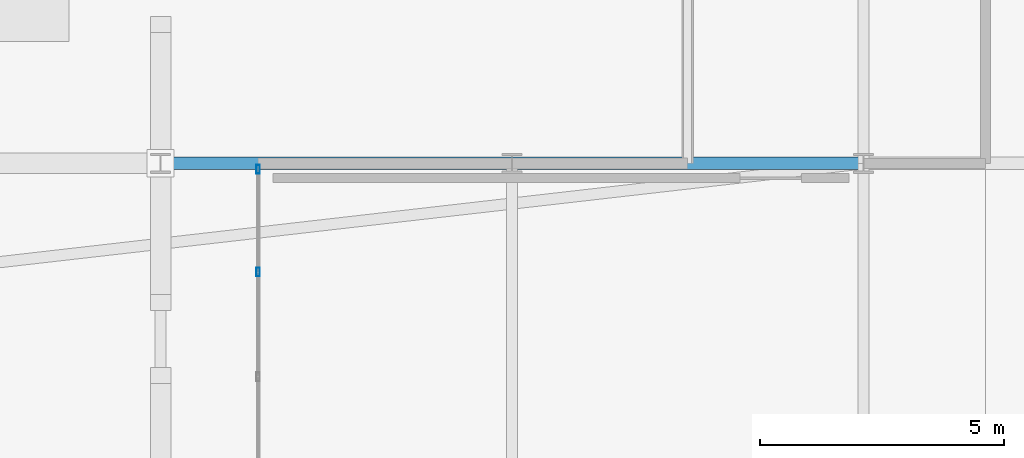
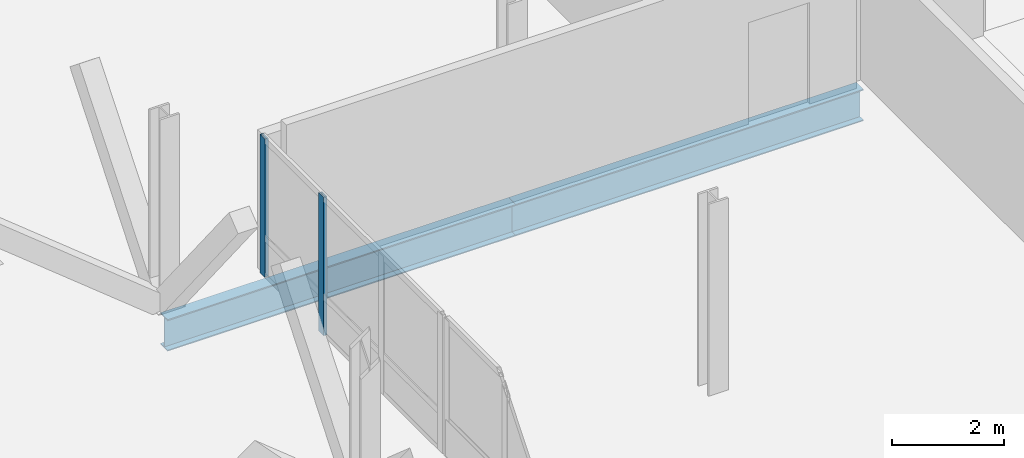
# One storey, part 17 of 102: 2 beams, 2 members, 1 element without a shape of its own.
"""IFC4 building model written with IfcOpenShell, lengths in metres."""

import ifcopenshell
import ifcopenshell.guid

model = None  # the IFC model being written
_history = None  # IfcOwnerHistory: only IFC2X3 demands one
_inside = {}  # id of a spatial element -> (the spatial element, [elements in it])
_under = {}  # id of a project, library or spatial element -> (it, [spatial elements below it])
_declared = {}  # id of a project -> (the project, [libraries it declares])
_typed = {}  # id of a type object -> (the type object, [elements of that type])
_made_of = {}  # id of a material, layer set ... -> (it, [elements and type objects made of it])


def new_model(schema):
    """Start an empty IFC model of exactly this schema.

    Asked for "IFC4X3", IfcOpenShell would pick the latest addendum, in which some entities
    have other attributes; the version numbers below select the first issue.
    IFC2X3 requires an IfcOwnerHistory on every rooted entity: one is made here for all.
    """
    global model, _history
    if schema == "IFC4X3":
        model = ifcopenshell.file(schema_version=(4, 3, 0, 0))
    else:
        model = ifcopenshell.file(schema=schema)
    _inside.clear()
    _under.clear()
    _declared.clear()
    _typed.clear()
    _made_of.clear()
    _history = None
    if model.schema == "IFC2X3":
        org = make("IfcOrganization", Name="unknown")
        user = make(
            "IfcPersonAndOrganization",
            ThePerson=make("IfcPerson", FamilyName="unknown"),
            TheOrganization=org,
        )
        app = make(
            "IfcApplication",
            ApplicationDeveloper=org,
            Version="unknown",
            ApplicationFullName="unknown",
            ApplicationIdentifier="unknown",
        )
        _history = make(
            "IfcOwnerHistory",
            OwningUser=user,
            OwningApplication=app,
            ChangeAction="ADDED",
            CreationDate=0,
        )
    return model


def make(cls, **values):
    """One entity of the class cls with the attributes given. An attribute that is None is left unset."""
    return model.create_entity(
        cls, **{name: value for name, value in values.items() if value is not None}
    )


def rooted(cls, **values):
    """An entity with a GlobalId (a new one), such as an element, a storey or a relation."""
    return make(cls, GlobalId=ifcopenshell.guid.new(), OwnerHistory=_history, **values)


def si_unit(unit_type, name, prefix=None):
    """IfcSIUnit, for example si_unit("LENGTHUNIT", "METRE", prefix="MILLI")."""
    return make("IfcSIUnit", UnitType=unit_type, Prefix=prefix, Name=name)


def assignment(units):
    """IfcUnitAssignment: the units of a project."""
    return None if units is None else make("IfcUnitAssignment", Units=units)


def point(xyz):
    """IfcCartesianPoint."""
    return None if xyz is None else make("IfcCartesianPoint", Coordinates=xyz)


def direction(xyz):
    """IfcDirection."""
    return None if xyz is None else make("IfcDirection", DirectionRatios=xyz)


def frame(location, z_axis=None, x_axis=None):
    """IfcAxis2Placement3D, a coordinate frame: its origin and axes. An axis left out is left unset."""
    return make(
        "IfcAxis2Placement3D",
        Location=point(location),
        Axis=direction(z_axis),
        RefDirection=direction(x_axis),
    )


def frame_2d(location, x_axis=None):
    """IfcAxis2Placement2D, a coordinate frame in the plane: its origin and x axis."""
    return make(
        "IfcAxis2Placement2D", Location=point(location), RefDirection=direction(x_axis)
    )


def origin():
    """The frame at (0, 0, 0) with its axes left unset."""
    return frame((0.0, 0.0, 0.0))


def origin_2d():
    """The frame at (0, 0) in the plane with its x axis left unset."""
    return frame_2d((0.0, 0.0))


def place(relative_to, where):
    """IfcLocalPlacement: puts the frame where relative to a parent placement (None: the world)."""
    return make(
        "IfcLocalPlacement", PlacementRelTo=relative_to, RelativePlacement=where
    )


def context(
    kind, dimensions, precision=None, world=None, true_north=None, identifier=None
):
    """IfcGeometricRepresentationContext, for example the 3D "Model" context."""
    return make(
        "IfcGeometricRepresentationContext",
        ContextIdentifier=identifier,
        ContextType=kind,
        CoordinateSpaceDimension=dimensions,
        Precision=precision,
        WorldCoordinateSystem=world,
        TrueNorth=true_north,
    )


def subcontext(parent, identifier, kind, view, scale=None):
    """IfcGeometricRepresentationSubContext, for example "Body" below "Model"."""
    return make(
        "IfcGeometricRepresentationSubContext",
        ContextIdentifier=identifier,
        ContextType=kind,
        ParentContext=parent,
        TargetScale=scale,
        TargetView=view,
    )


def project(units=None, contexts=None):
    """IfcProject with its units and contexts."""
    return rooted(
        "IfcProject",
        Name="project",
        RepresentationContexts=contexts,
        UnitsInContext=assignment(units),
    )


def spatial(cls, under=None, at=None, **own):
    """A site, building, storey or space (cls), placed at a placement, below another one or the project."""
    s = rooted(cls, ObjectPlacement=at, **own)
    if under is not None:
        _under.setdefault(under.id(), (under, []))[1].append(s)
    return s


def profile(cls, at=None, kind="AREA", **sizes):
    """A parametric profile (cls). Its sizes go by their IFC names, for example OverallWidth=200.0."""
    return make(cls, ProfileType=kind, Position=at, **sizes)


def hollow_rectangle(**sizes):
    """IfcRectangleHollowProfileDef."""
    return profile("IfcRectangleHollowProfileDef", **sizes)


def i_section(**sizes):
    """IfcIShapeProfileDef."""
    return profile("IfcIShapeProfileDef", **sizes)


def extrude(swept, where, along, depth):
    """IfcExtrudedAreaSolid: the profile swept, set in the frame where, extruded along a direction by depth."""
    return make(
        "IfcExtrudedAreaSolid",
        SweptArea=swept,
        Position=where,
        ExtrudedDirection=direction(along),
        Depth=depth,
    )


def shape(context_of_items, identifier, shape_type, items):
    """IfcShapeRepresentation: the items that make up one representation, for example the "Body"."""
    return make(
        "IfcShapeRepresentation",
        ContextOfItems=context_of_items,
        RepresentationIdentifier=identifier,
        RepresentationType=shape_type,
        Items=items,
    )


def material(Name=None, Category=None):
    """IfcMaterial."""
    return make("IfcMaterial", Name=Name, Category=Category)


def material_profile(
    of_material, cross_section, Name=None, Category=None, Priority=None
):
    """IfcMaterialProfile: a cross section and its material."""
    return make(
        "IfcMaterialProfile",
        Name=Name,
        Material=of_material,
        Profile=cross_section,
        Priority=Priority,
        Category=Category,
    )


def profile_set(profiles, Name=None, composite=None):
    """IfcMaterialProfileSet."""
    return make(
        "IfcMaterialProfileSet",
        Name=Name,
        MaterialProfiles=profiles,
        CompositeProfile=composite,
    )


def made_of(thing, what):
    """Note that an element or type object is made of a material, layer set ...; save() writes the relation."""
    if what is not None:
        _made_of.setdefault(what.id(), (what, []))[1].append(thing)
    return thing


def type_object(cls, material=None, **own):
    """A type object (cls), such as IfcWallType, which elements share."""
    return made_of(rooted(cls, **own), material)


def element(
    cls,
    number,
    at=None,
    inside=None,
    cuts=None,
    type_object=None,
    material=None,
    context=None,
    identifier="Body",
    shape_type=None,
    held_by="IfcProductDefinitionShape",
    body=None,
    shapes=None,
    **own,
):
    """One element of the class cls, such as IfcWall. Its Tag is "e" and its number.

    at: its placement. inside: the storey or other place that contains it. cuts: it is an
    opening in that element (IfcRelVoidsElement). A single representation is given by context,
    identifier, shape_type and body (its items); several are given by shapes. held_by: the class
    of the entity that holds the representations. save() writes the other relations.
    """
    e = rooted(cls, Tag="e%d" % number, ObjectPlacement=at, **own)
    if body is not None:
        shapes = [shape(context, identifier, shape_type, body)]
    if shapes is not None:
        e.Representation = make(held_by, Representations=shapes)
    if inside is not None:
        _inside.setdefault(inside.id(), (inside, []))[1].append(e)
    if cuts is not None:
        rooted(
            "IfcRelVoidsElement", RelatingBuildingElement=cuts, RelatedOpeningElement=e
        )
    if type_object is not None:
        _typed.setdefault(type_object.id(), (type_object, []))[1].append(e)
    return made_of(e, material)


def aggregate(whole, parts):
    """IfcRelAggregates: a whole, such as a stair, and the parts it consists of."""
    return rooted("IfcRelAggregates", RelatingObject=whole, RelatedObjects=parts)


def save(model, path):
    """Write the relations noted so far, then the file.

    IfcRelAggregates (storeys below a building ...), IfcRelContainedInSpatialStructure (elements
    in a storey), IfcRelDefinesByType, IfcRelAssociatesMaterial and IfcRelDeclares: one each for
    every whole, place, type object, material and project.
    """
    for whole, parts in _under.values():
        aggregate(whole, parts)
    for where, things in _inside.values():
        rooted(
            "IfcRelContainedInSpatialStructure",
            RelatedElements=things,
            RelatingStructure=where,
        )
    for kind, things in _typed.values():
        rooted("IfcRelDefinesByType", RelatedObjects=things, RelatingType=kind)
    for what, things in _made_of.values():
        rooted("IfcRelAssociatesMaterial", RelatedObjects=things, RelatingMaterial=what)
    for by, libraries in _declared.values():
        rooted("IfcRelDeclares", RelatingContext=by, RelatedDefinitions=libraries)
    model.write(path)


model = new_model("IFC4")

# Units and contexts
model_context = context("Model", 3, precision=1e-05, world=origin(), true_north=direction((0.0, 1.0)))
body_context = subcontext(model_context, "Body", "Model", "MODEL_VIEW")
ifc_project = project(units=[si_unit("LENGTHUNIT", "METRE"), si_unit("AREAUNIT", "SQUARE_METRE"), si_unit("VOLUMEUNIT", "CUBIC_METRE"), si_unit("PLANEANGLEUNIT", "RADIAN"), si_unit("MASSUNIT", "GRAM", prefix="KILO")], contexts=[model_context])

# Site, building, storey
site_placement = place(None, origin())
site = spatial("IfcSite", under=ifc_project, at=site_placement, CompositionType="ELEMENT")
building_placement = place(site_placement, origin())
building = spatial("IfcBuilding", under=site, at=building_placement, Name="Yarey Park Central Fire Station", CompositionType="ELEMENT")
storey_placement = place(building_placement, frame((0.0, 0.0, 6.0)))
storey = spatial("IfcBuildingStorey", under=building, at=storey_placement, Name="L02", CompositionType="ELEMENT", Elevation=6.0)

# Curtain wall, members
ifc_material_1 = material(Name="Anodized Aluminium Frame", Category="aluminium")
curtain_wall_type = type_object("IfcCurtainWallType", Name="ENV_CW_V3_GALW", PredefinedType="NOTDEFINED", material=ifc_material_1)
curtain_wall_placement = place(storey_placement, origin())
curtain_wall = element("IfcCurtainWall", 1, at=curtain_wall_placement, inside=storey, type_object=curtain_wall_type, Name="CW_L02_V1_W_032", PredefinedType="NOTDEFINED")
ifc_material_profile_1 = material_profile(ifc_material_1, hollow_rectangle(XDim=0.070068359375, YDim=0.179931640625, WallThickness=0.00390625, at=origin_2d()), Name="ALU 180x70x4")
ifc_profile_set_1 = profile_set([ifc_material_profile_1], Name="Anodized Aluminium Frame")
member_type = type_object("IfcMemberType", Name="ENV_CW_MULLION", PredefinedType="MULLION", material=ifc_profile_set_1)
member_1_placement = place(storey_placement, frame((16.39990234375, 43.080078125, 0.0), z_axis=(0.0, 0.0, 1.0), x_axis=(1.0, 0.0, 0.0)))
member_1 = element("IfcMember", 2, at=member_1_placement, type_object=member_type, Name="CW_L02_V1_W_032_MUL1", PredefinedType="MULLION", context=body_context, shape_type="SweptSolid", body=[
    extrude(hollow_rectangle(XDim=0.070068359375, YDim=0.179931640625, WallThickness=0.00390625, at=origin_2d()), origin(), (0.0, 0.0, 1.0), 3.028076171875),
])
member_2_placement = place(storey_placement, frame((16.39990234375, 40.973388671875, 0.0), z_axis=(0.0, 0.0, 1.0), x_axis=(1.0, 0.0, 0.0)))
member_2 = element("IfcMember", 3, at=member_2_placement, type_object=member_type, Name="CW_L02_V1_W_032_MUL2", PredefinedType="MULLION", context=body_context, shape_type="SweptSolid", body=[
    extrude(hollow_rectangle(XDim=0.070068359375, YDim=0.179931640625, WallThickness=0.00390625, at=origin_2d()), origin(), (0.0, 0.0, 1.0), 3.028076171875),
])
aggregate(curtain_wall, [member_1, member_2])

# Beams
ifc_material_2 = material(Name="Steel ASTM A992 Gr. 50", Category="steel")
ifc_material_profile_2 = material_profile(ifc_material_2, i_section(OverallWidth=0.256103515625, OverallDepth=0.693115234375, WebThickness=0.014404296875, FlangeThickness=0.023681640625, at=origin_2d()), Name="W690x170")
ifc_profile_set_2 = profile_set([ifc_material_profile_2], Name="Steel ASTM A992 Gr. 50")
beam_type = type_object("IfcBeamType", Name="STR_BM_W690", PredefinedType="BEAM", material=ifc_profile_set_2)
beam_1_placement = place(storey_placement, frame((14.39990234375, 43.199951171875, -0.631591796875), z_axis=(1.0, 0.0, 0.0), x_axis=(0.0, 1.0, 0.0)))
element("IfcBeam", 4, at=beam_1_placement, inside=storey, type_object=beam_type, Name="DRUM L02 G1 Y432", PredefinedType="BEAM", context=body_context, shape_type="SweptSolid", body=[
    extrude(i_section(OverallWidth=0.256103515625, OverallDepth=0.693115234375, WebThickness=0.014404296875, FlangeThickness=0.023681640625, at=origin_2d()), origin(), (0.0, 0.0, 1.0), 7.2001953125),
])
beam_2_placement = place(storey_placement, frame((21.60009765625, 43.199951171875, -0.631591796875), z_axis=(1.0, 0.0, 0.0), x_axis=(0.0, 1.0, 0.0)))
element("IfcBeam", 5, at=beam_2_placement, inside=storey, type_object=beam_type, Name="DRUM L02 G2 Y432", PredefinedType="BEAM", context=body_context, shape_type="SweptSolid", body=[
    extrude(i_section(OverallWidth=0.256103515625, OverallDepth=0.693115234375, WebThickness=0.014404296875, FlangeThickness=0.023681640625, at=origin_2d()), origin(), (0.0, 0.0, 1.0), 7.199951171875),
])

save(model, "model.ifc")
